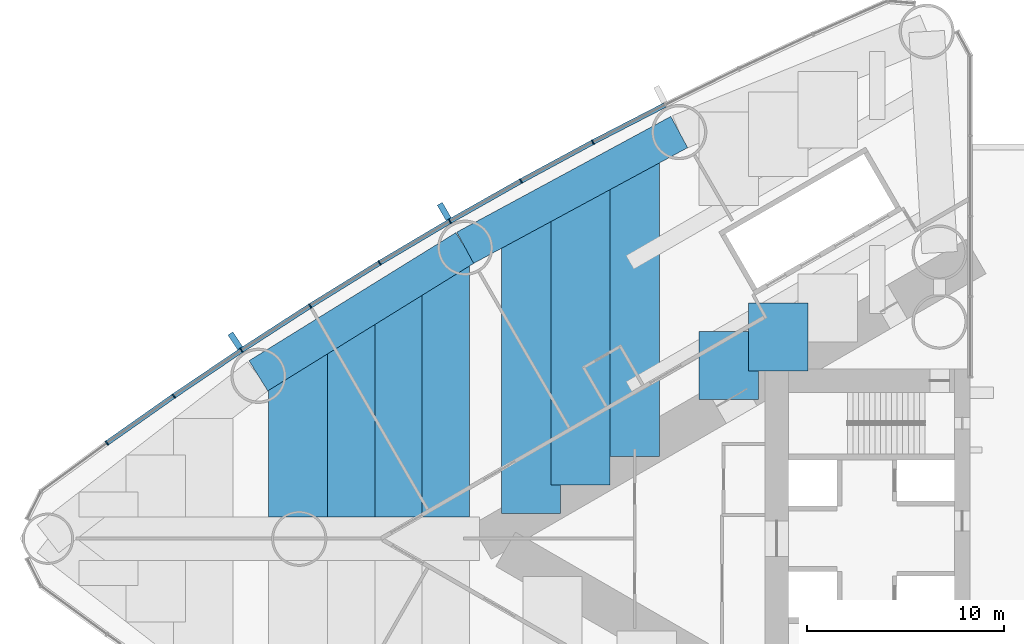
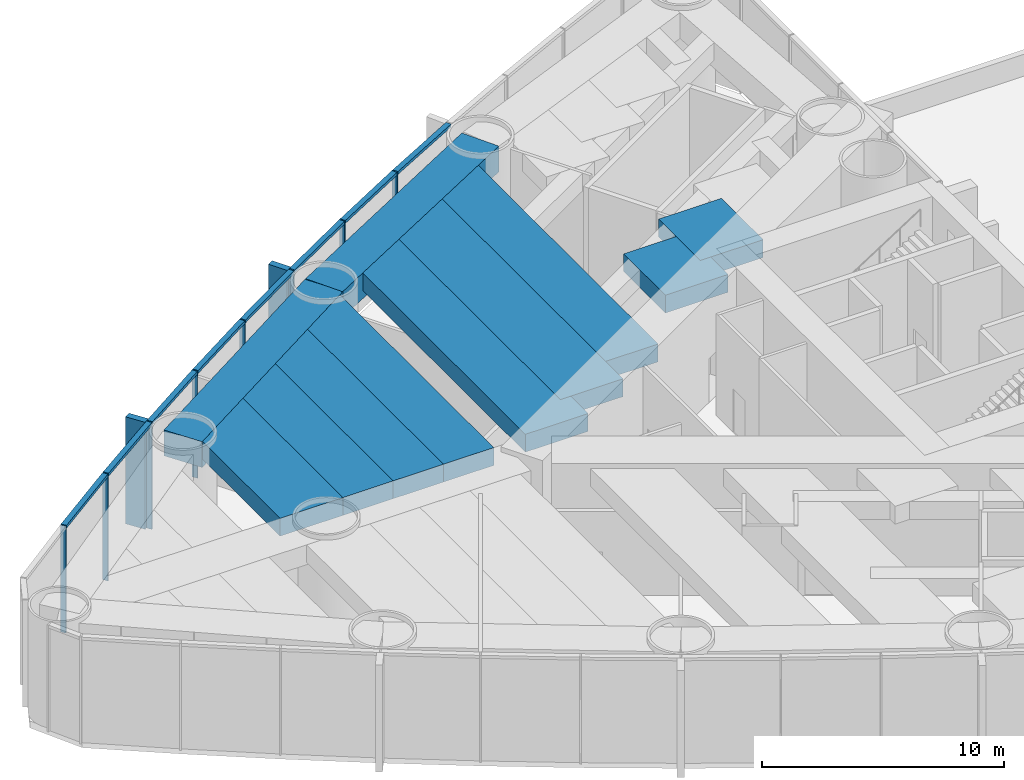
# One storey, part 8 of 23: 18 members, 11 beams, 1 element without a shape of its own.
"""IFC4 building model written with IfcOpenShell, lengths in metres."""

from ifc_helpers import new_model, si_unit, direction, frame, origin, origin_2d, place, context, subcontext, project, spatial, rectangle, extrude, material, material_profile, profile_set, type_object, element, aggregate, save


model = new_model("IFC4")

# Units and contexts
model_context = context("Model", 3, precision=1e-05, world=origin(), true_north=direction((0.0, 1.0)))
body_context = subcontext(model_context, "Body", "Model", "MODEL_VIEW")
ifc_project = project(units=[si_unit("LENGTHUNIT", "METRE"), si_unit("AREAUNIT", "SQUARE_METRE"), si_unit("VOLUMEUNIT", "CUBIC_METRE"), si_unit("PLANEANGLEUNIT", "RADIAN"), si_unit("MASSUNIT", "GRAM", prefix="KILO")], contexts=[model_context])

# Site, building, storey
site_placement = place(None, origin())
site = spatial("IfcSite", under=ifc_project, at=site_placement, CompositionType="ELEMENT")
building_placement = place(site_placement, origin())
building = spatial("IfcBuilding", under=site, at=building_placement, Name="Lancet Gate Hotel", CompositionType="ELEMENT")
storey_placement = place(building_placement, frame((0.0, 0.0, 12.60009765625)))
storey = spatial("IfcBuildingStorey", under=building, at=storey_placement, Name="L02", CompositionType="ELEMENT", Elevation=12.60009765625)

# Curtain wall, members
ifc_material_1 = material(Name="Aluminium curtain wall", Category="aluminium")
curtain_wall_type = type_object("IfcCurtainWallType", Name="Podium curtain wall", PredefinedType="USERDEFINED", material=ifc_material_1)
curtain_wall_placement = place(storey_placement, origin())
curtain_wall = element("IfcCurtainWall", 1, at=curtain_wall_placement, inside=storey, type_object=curtain_wall_type, Name="T1 L02 curtain wall 2", ObjectType="UNITISED CURTAIN WALL", PredefinedType="USERDEFINED")
ifc_material_2 = material(Name="Aluminium mullion", Category="aluminium")
ifc_material_profile_1 = material_profile(ifc_material_2, rectangle(XDim=0.06494140625, YDim=0.25, at=origin_2d()), Name="MULLION 65x250")
ifc_profile_set_1 = profile_set([ifc_material_profile_1], Name="Aluminium mullion")
member_type_1 = type_object("IfcMemberType", Name="Aluminium mullion 65x250", PredefinedType="MULLION", material=ifc_profile_set_1)
member_1_placement = place(storey_placement, frame((-46.6220703125, 20.094970703125, 0.0), z_axis=(0.0, 0.0, 1.0), x_axis=(-0.884311132302, -0.466898084475, 0.0)))
member_1 = element("IfcMember", 2, at=member_1_placement, type_object=member_type_1, Name="T1 L02 curtain wall 2 mullion 6", PredefinedType="MULLION", context=body_context, shape_type="SweptSolid", body=[
    extrude(rectangle(XDim=0.06494140625, YDim=0.25, at=origin_2d()), origin(), (0.0, 0.0, 1.0), 5.39990234375),
])
member_2_placement = place(storey_placement, frame((-50.26416015625, 18.1259765625, 0.0), z_axis=(0.0, 0.0, 1.0), x_axis=(-0.874991035403, -0.484139120464, 0.0)))
member_2 = element("IfcMember", 3, at=member_2_placement, type_object=member_type_1, Name="T1 L02 curtain wall 2 mullion 7", PredefinedType="MULLION", context=body_context, shape_type="SweptSolid", body=[
    extrude(rectangle(XDim=0.06494140625, YDim=0.25, at=origin_2d()), origin(), (0.0, 0.0, 1.0), 5.39990234375),
])
member_3_placement = place(storey_placement, frame((-53.866943359375, 16.086181640625, 0.0), z_axis=(0.0, 0.0, 1.0), x_axis=(-0.86533483912, -0.501194190115, 0.0)))
member_3 = element("IfcMember", 4, at=member_3_placement, type_object=member_type_1, Name="T1 L02 curtain wall 2 mullion 8", PredefinedType="MULLION", context=body_context, shape_type="SweptSolid", body=[
    extrude(rectangle(XDim=0.06494140625, YDim=0.25, at=origin_2d()), origin(), (0.0, 0.0, 1.0), 5.39990234375),
])
member_4_placement = place(storey_placement, frame((-57.42919921875, 13.97607421875, 0.0), z_axis=(0.0, 0.0, 1.0), x_axis=(-0.855346252548, -0.518056742309, 0.0)))
member_4 = element("IfcMember", 5, at=member_4_placement, type_object=member_type_1, Name="T1 L02 curtain wall 2 mullion 9", PredefinedType="MULLION", context=body_context, shape_type="SweptSolid", body=[
    extrude(rectangle(XDim=0.06494140625, YDim=0.25, at=origin_2d()), origin(), (0.0, 0.0, 1.0), 5.39990234375),
])
member_5_placement = place(storey_placement, frame((-60.949462890625, 11.796630859375, 0.0), z_axis=(0.0, 0.0, 1.0), x_axis=(-0.845029112489, -0.534720299827, 0.0)))
member_5 = element("IfcMember", 6, at=member_5_placement, type_object=member_type_1, Name="T1 L02 curtain wall 2 mullion 10", PredefinedType="MULLION", context=body_context, shape_type="SweptSolid", body=[
    extrude(rectangle(XDim=0.06494140625, YDim=0.25, at=origin_2d()), origin(), (0.0, 0.0, 1.0), 5.39990234375),
])
member_6_placement = place(storey_placement, frame((-64.42626953125, 9.548583984375, 0.0), z_axis=(0.0, 0.0, 1.0), x_axis=(-0.834387381945, -0.55117846189, 0.0)))
member_6 = element("IfcMember", 7, at=member_6_placement, type_object=member_type_1, Name="T1 L02 curtain wall 2 mullion 11", PredefinedType="MULLION", context=body_context, shape_type="SweptSolid", body=[
    extrude(rectangle(XDim=0.06494140625, YDim=0.25, at=origin_2d()), origin(), (0.0, 0.0, 1.0), 5.39990234375),
])
member_7_placement = place(storey_placement, frame((-67.858154296875, 7.232666015625, 0.0), z_axis=(0.0, 0.0, 1.0), x_axis=(-0.823425148573, -0.56742490666, 0.0)))
member_7 = element("IfcMember", 8, at=member_7_placement, type_object=member_type_1, Name="T1 L02 curtain wall 2 mullion 12", PredefinedType="MULLION", context=body_context, shape_type="SweptSolid", body=[
    extrude(rectangle(XDim=0.06494140625, YDim=0.25, at=origin_2d()), origin(), (0.0, 0.0, 1.0), 5.39990234375),
])
member_8_placement = place(storey_placement, frame((-71.244384765625, 4.85009765625, 0.0), z_axis=(0.0, 0.0, 1.0), x_axis=(-0.812146623168, -0.583453393578, 0.0)))
member_8 = element("IfcMember", 9, at=member_8_placement, type_object=member_type_1, Name="T1 L02 curtain wall 2 mullion 13", PredefinedType="MULLION", context=body_context, shape_type="SweptSolid", body=[
    extrude(rectangle(XDim=0.06494140625, YDim=0.25, at=origin_2d()), origin(), (0.0, 0.0, 1.0), 5.39990234375),
])
ifc_material_3 = material(Name="Aluminium transom", Category="aluminium")
ifc_material_profile_2 = material_profile(ifc_material_3, rectangle(XDim=0.25, YDim=0.14990234375, at=origin_2d()), Name="TRANSOM 250x150")
ifc_profile_set_2 = profile_set([ifc_material_profile_2], Name="Aluminium transom")
member_type_2 = type_object("IfcMemberType", Name="Aluminium transom 250x150", PredefinedType="USERDEFINED", material=ifc_profile_set_2)
member_9_placement = place(storey_placement, frame((-42.970703125, 21.97705078125, 5.324951171875), z_axis=(-0.888859972399, -0.458178949175, 0.0), x_axis=(0.458178949175, -0.888859972399, 0.0)))
member_9 = element("IfcMember", 10, at=member_9_placement, type_object=member_type_2, Name="T1 L02 curtain wall 2 transom 5", ObjectType="TRANSOM", PredefinedType="USERDEFINED", context=body_context, shape_type="SweptSolid", body=[
    extrude(rectangle(XDim=0.25, YDim=0.14990234375, at=origin_2d()), origin(), (0.0, 0.0, 1.0), 4.0751953125),
])
member_10_placement = place(storey_placement, frame((-46.650634765625, 20.079345703125, 5.324951171875), z_axis=(-0.87971396408, -0.475503250675, 0.0), x_axis=(0.475503250675, -0.87971396408, 0.0)))
member_10 = element("IfcMember", 11, at=member_10_placement, type_object=member_type_2, Name="T1 L02 curtain wall 2 transom 6", ObjectType="TRANSOM", PredefinedType="USERDEFINED", context=body_context, shape_type="SweptSolid", body=[
    extrude(rectangle(XDim=0.25, YDim=0.14990234375, at=origin_2d()), origin(), (0.0, 0.0, 1.0), 4.0751953125),
])
member_11_placement = place(storey_placement, frame((-50.29248046875, 18.110107421875, 5.324951171875), z_axis=(-0.870197729943, -0.492702659625, 0.0), x_axis=(0.492702659625, -0.870197729943, 0.0)))
member_11 = element("IfcMember", 12, at=member_11_placement, type_object=member_type_2, Name="T1 L02 curtain wall 2 transom 7", ObjectType="TRANSOM", PredefinedType="USERDEFINED", context=body_context, shape_type="SweptSolid", body=[
    extrude(rectangle(XDim=0.25, YDim=0.14990234375, at=origin_2d()), origin(), (0.0, 0.0, 1.0), 4.0751953125),
])
member_12_placement = place(storey_placement, frame((-53.89501953125, 16.069580078125, 5.324951171875), z_axis=(-0.86039174806, -0.509633240547, 0.0), x_axis=(0.509633240547, -0.86039174806, 0.0)))
member_12 = element("IfcMember", 13, at=member_12_placement, type_object=member_type_2, Name="T1 L02 curtain wall 2 transom 8", ObjectType="TRANSOM", PredefinedType="USERDEFINED", context=body_context, shape_type="SweptSolid", body=[
    extrude(rectangle(XDim=0.25, YDim=0.14990234375, at=origin_2d()), origin(), (0.0, 0.0, 1.0), 4.0751953125),
])
member_13_placement = place(storey_placement, frame((-57.456787109375, 13.958984375, 5.324951171875), z_axis=(-0.850242165643, -0.526391736032, 0.0), x_axis=(0.526391736032, -0.850242165643, 0.0)))
member_13 = element("IfcMember", 14, at=member_13_placement, type_object=member_type_2, Name="T1 L02 curtain wall 2 transom 9", ObjectType="TRANSOM", PredefinedType="USERDEFINED", context=body_context, shape_type="SweptSolid", body=[
    extrude(rectangle(XDim=0.25, YDim=0.14990234375, at=origin_2d()), origin(), (0.0, 0.0, 1.0), 4.075439453125),
])
member_14_placement = place(storey_placement, frame((-60.976806640625, 11.779052734375, 5.324951171875), z_axis=(-0.839729242404, -0.543005340169, 0.0), x_axis=(0.543005340169, -0.839729242404, 0.0)))
member_14 = element("IfcMember", 15, at=member_14_placement, type_object=member_type_2, Name="T1 L02 curtain wall 2 transom 10", ObjectType="TRANSOM", PredefinedType="USERDEFINED", context=body_context, shape_type="SweptSolid", body=[
    extrude(rectangle(XDim=0.25, YDim=0.14990234375, at=origin_2d()), origin(), (0.0, 0.0, 1.0), 4.0751953125),
])
member_15_placement = place(storey_placement, frame((-64.453125, 9.5302734375, 5.324951171875), z_axis=(-0.828959086782, -0.559309245804, 0.0), x_axis=(0.559309245804, -0.828959086782, 0.0)))
member_15 = element("IfcMember", 16, at=member_15_placement, type_object=member_type_2, Name="T1 L02 curtain wall 2 transom 11", ObjectType="TRANSOM", PredefinedType="USERDEFINED", context=body_context, shape_type="SweptSolid", body=[
    extrude(rectangle(XDim=0.25, YDim=0.14990234375, at=origin_2d()), origin(), (0.0, 0.0, 1.0), 4.0751953125),
])
member_16_placement = place(storey_placement, frame((-67.884765625, 7.214111328125, 5.324951171875), z_axis=(-0.817833568345, -0.57545482402, 0.0), x_axis=(0.57545482402, -0.817833568345, 0.0)))
member_16 = element("IfcMember", 17, at=member_16_placement, type_object=member_type_2, Name="T1 L02 curtain wall 2 transom 12", ObjectType="TRANSOM", PredefinedType="USERDEFINED", context=body_context, shape_type="SweptSolid", body=[
    extrude(rectangle(XDim=0.25, YDim=0.14990234375, at=origin_2d()), origin(), (0.0, 0.0, 1.0), 4.075439453125),
])

# Beams
ifc_material_4 = material(Name="Concrete C50/60", Category="concrete")
ifc_material_profile_3 = material_profile(ifc_material_4, rectangle(XDim=1.800048828125, YDim=1.300048828125, at=origin_2d()), Name="RC 1800x1300")
ifc_profile_set_3 = profile_set([ifc_material_profile_3], Name="Concrete C50/60")
beam_type_1 = type_object("IfcBeamType", Name="Edge beam RC 1800x1300", PredefinedType="SPANDREL", material=ifc_profile_set_3)
for number, where, z_axis, x_axis, name in (
    (18, (-42.2451171875, 20.607421875, 4.5), (-0.879692855603, -0.475542300749, 0.0), (0.475542300749, -0.879692855603, 0.0), "T1 edge beam EB1 L02"),
    (19, (-53.090087890625, 14.744873046875, 4.5), (-0.850225894333, -0.526418016984, 0.0), (0.526418016984, -0.850225894333, 0.0), "T1 edge beam EB1 L02"),
):
    element("IfcBeam", number, at=place(storey_placement, frame(where, z_axis=z_axis, x_axis=x_axis)), inside=storey, type_object=beam_type_1, Name=name, PredefinedType="SPANDREL", context=body_context, shape_type="SweptSolid", body=[
        extrude(rectangle(XDim=1.800048828125, YDim=1.300048828125, at=origin_2d()), origin(), (0.0, 0.0, 1.0), 12.328125),
    ])

# Member
ifc_material_5 = material(Name="Precast concrete C50/60", Category="concrete")
ifc_material_profile_4 = material_profile(ifc_material_5, rectangle(XDim=0.300048828125, YDim=0.89990234375, at=origin_2d()), Name="FIN 300x900")
ifc_profile_set_4 = profile_set([ifc_material_profile_4], Name="Precast concrete C50/60")
member_type_3 = type_object("IfcMemberType", Name="Exposed concrete fin 300x900", PredefinedType="USERDEFINED", material=ifc_profile_set_4)
member_17_placement = place(storey_placement, frame((-54.1552734375, 16.583740234375, 0.0), z_axis=(0.0, 0.0, 1.0), x_axis=(-0.86533483912, -0.501194190115, 0.0)))
member_17 = element("IfcMember", 20, at=member_17_placement, type_object=member_type_3, Name="T1 L02 curtain wall 2 fin 8", ObjectType="FIN", PredefinedType="USERDEFINED", context=body_context, shape_type="SweptSolid", body=[
    extrude(rectangle(XDim=0.300048828125, YDim=0.89990234375, at=origin_2d()), origin(), (0.0, 0.0, 1.0), 5.39990234375),
])

member_18_placement = place(storey_placement, frame((-64.7431640625, 10.0283203125, 0.0), z_axis=(0.0, 0.0, 1.0), x_axis=(-0.834387381945, -0.55117846189, 0.0)))
member_18 = element("IfcMember", 21, at=member_18_placement, type_object=member_type_3, Name="T1 L02 curtain wall 2 fin 11", ObjectType="FIN", PredefinedType="USERDEFINED", context=body_context, shape_type="SweptSolid", body=[
    extrude(rectangle(XDim=0.300048828125, YDim=0.89990234375, at=origin_2d()), origin(), (0.0, 0.0, 1.0), 5.39990234375),
])

aggregate(curtain_wall, [member_1, member_2, member_3, member_17, member_4, member_5, member_6, member_18, member_7, member_8, member_9, member_10, member_11, member_12, member_13, member_14, member_15, member_16])

# Beams
ifc_material_6 = material(Name="Concrete C50/60", Category="concrete")
ifc_material_profile_5 = material_profile(ifc_material_6, rectangle(XDim=3.0, YDim=0.89990234375, at=origin_2d()), Name="RC 3000x900")
ifc_profile_set_5 = profile_set([ifc_material_profile_5], Name="Concrete C50/60")
beam_type_2 = type_object("IfcBeamType", Name="Floor beam RC 3000x900", PredefinedType="BEAM", material=ifc_profile_set_5)
beam_1_placement = place(storey_placement, frame((-44.747802734375, 19.254638671875, 4.699951171875), z_axis=(0.0, -1.0, 0.0), x_axis=(1.0, 0.0, 0.0)))
element("IfcBeam", 22, at=beam_1_placement, inside=storey, type_object=beam_type_2, Name="T1 floor beam F09S L02", PredefinedType="BEAM", context=body_context, shape_type="SweptSolid", body=[
    extrude(rectangle(XDim=3.0, YDim=0.89990234375, at=origin_2d()), origin(), (0.0, 0.0, 1.0), 15.0859375),
])
beam_2_placement = place(storey_placement, frame((-47.254638671875, 17.8994140625, 4.699951171875), z_axis=(0.0, -1.0, 0.0), x_axis=(1.0, 0.0, 0.0)))
element("IfcBeam", 23, at=beam_2_placement, inside=storey, type_object=beam_type_2, Name="T1 floor beam F10S L02", PredefinedType="BEAM", context=body_context, shape_type="SweptSolid", body=[
    extrude(rectangle(XDim=3.0, YDim=0.89990234375, at=origin_2d()), origin(), (0.0, 0.0, 1.0), 15.177978515625),
])
beam_3_placement = place(storey_placement, frame((-49.761474609375, 16.54443359375, 4.699951171875), z_axis=(0.0, -1.0, 0.0), x_axis=(1.0, 0.0, 0.0)))
element("IfcBeam", 24, at=beam_3_placement, inside=storey, type_object=beam_type_2, Name="T1 floor beam F12S L02", PredefinedType="BEAM", context=body_context, shape_type="SweptSolid", body=[
    extrude(rectangle(XDim=3.0, YDim=0.89990234375, at=origin_2d()), origin(), (0.0, 0.0, 1.0), 15.270263671875),
])
beam_4_placement = place(storey_placement, frame((-54.3681640625, 13.95361328125, 4.699951171875), z_axis=(0.0, -1.0, 0.0), x_axis=(1.0, 0.0, 0.0)))
element("IfcBeam", 25, at=beam_4_placement, inside=storey, type_object=beam_type_2, Name="T1 floor beam F13S L02", PredefinedType="BEAM", context=body_context, shape_type="SweptSolid", body=[
    extrude(rectangle(XDim=3.0, YDim=0.89990234375, at=origin_2d()), origin(), (0.0, 0.0, 1.0), 12.853515625),
])
beam_5_placement = place(storey_placement, frame((-56.768310546875, 12.467529296875, 4.699951171875), z_axis=(0.0, -1.0, 0.0), x_axis=(1.0, 0.0, 0.0)))
element("IfcBeam", 26, at=beam_5_placement, inside=storey, type_object=beam_type_2, Name="T1 floor beam F15S L02", PredefinedType="BEAM", context=body_context, shape_type="SweptSolid", body=[
    extrude(rectangle(XDim=3.0, YDim=0.89990234375, at=origin_2d()), origin(), (0.0, 0.0, 1.0), 11.367431640625),
])
beam_6_placement = place(storey_placement, frame((-59.168212890625, 10.981689453125, 4.699951171875), z_axis=(0.0, -1.0, 0.0), x_axis=(1.0, 0.0, 0.0)))
element("IfcBeam", 27, at=beam_6_placement, inside=storey, type_object=beam_type_2, Name="T1 floor beam F17S L02", PredefinedType="BEAM", context=body_context, shape_type="SweptSolid", body=[
    extrude(rectangle(XDim=3.0, YDim=0.89990234375, at=origin_2d()), origin(), (0.0, 0.0, 1.0), 9.881591796875),
])
beam_7_placement = place(storey_placement, frame((-61.568359375, 9.495849609375, 4.699951171875), z_axis=(0.0, -1.0, 0.0), x_axis=(1.0, 0.0, 0.0)))
element("IfcBeam", 28, at=beam_7_placement, inside=storey, type_object=beam_type_2, Name="T1 floor beam F19S L02", PredefinedType="BEAM", context=body_context, shape_type="SweptSolid", body=[
    extrude(rectangle(XDim=3.0, YDim=0.89990234375, at=origin_2d()), origin(), (0.0, 0.0, 1.0), 8.395751953125),
])
beam_8_placement = place(storey_placement, frame((-37.227294921875, 11.9560546875, 4.699951171875), z_axis=(0.0, -1.0, 0.0), x_axis=(1.0, 0.0, 0.0)))
element("IfcBeam", 29, at=beam_8_placement, inside=storey, type_object=beam_type_2, Name="T1 floor beam F05SB L02", PredefinedType="BEAM", context=body_context, shape_type="SweptSolid", body=[
    extrude(rectangle(XDim=3.0, YDim=0.89990234375, at=origin_2d()), origin(), (0.0, 0.0, 1.0), 3.4453125),
])
beam_9_placement = place(storey_placement, frame((-39.734130859375, 10.508544921875, 4.699951171875), z_axis=(0.0, -1.0, 0.0), x_axis=(1.0, 0.0, 0.0)))
element("IfcBeam", 30, at=beam_9_placement, inside=storey, type_object=beam_type_2, Name="T1 floor beam F07SB L02", PredefinedType="BEAM", context=body_context, shape_type="SweptSolid", body=[
    extrude(rectangle(XDim=3.0, YDim=0.89990234375, at=origin_2d()), origin(), (0.0, 0.0, 1.0), 3.445068359375),
])

save(model, "model.ifc")
